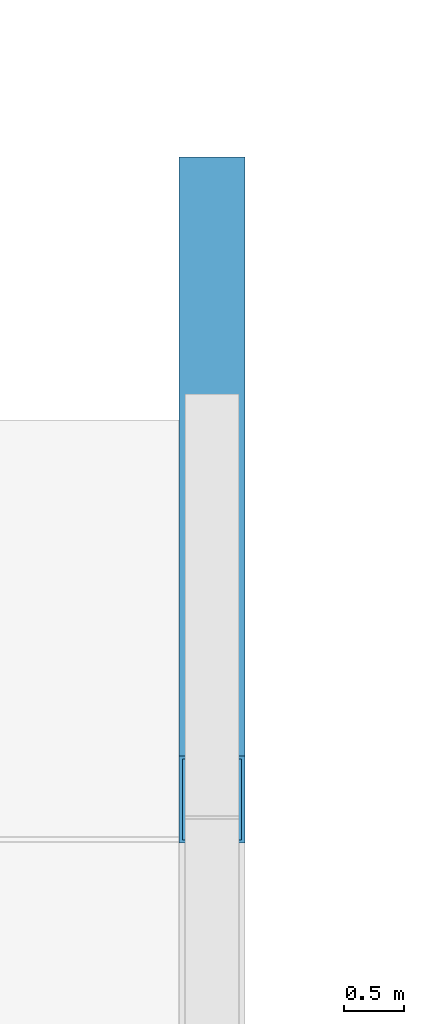
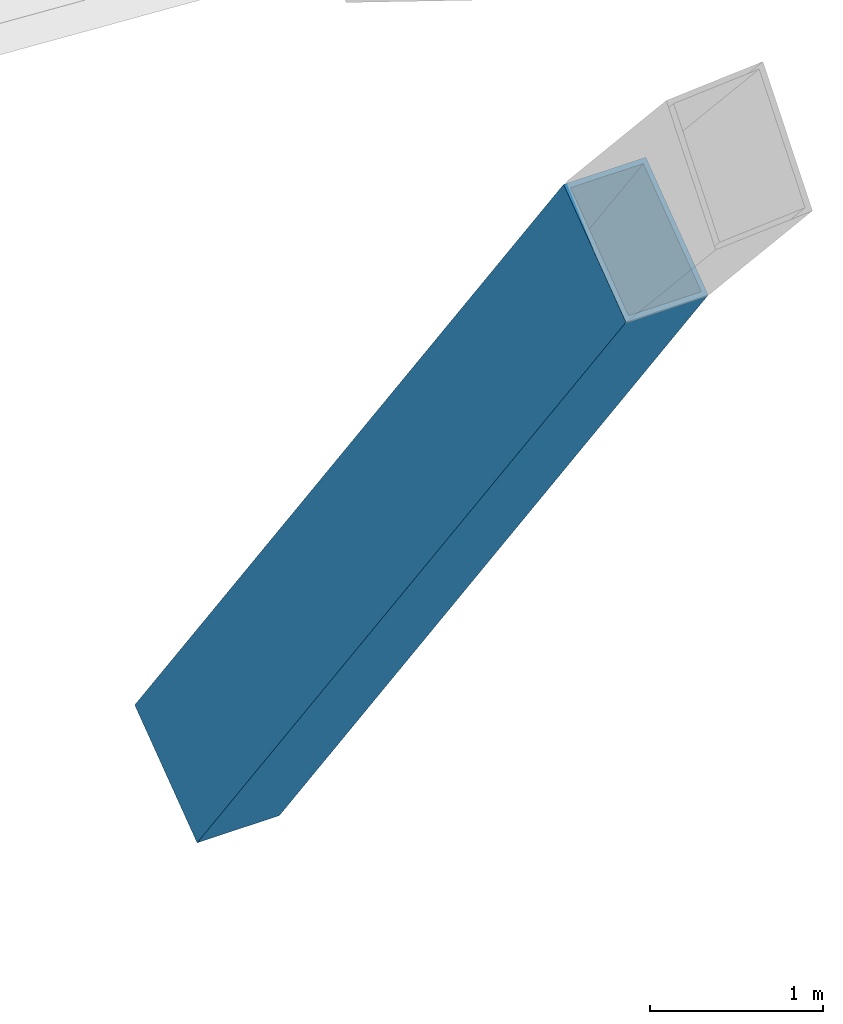
# One storey, part 30 of 64: 1 member.
"""IFC4 building model written with IfcOpenShell, lengths in metres."""

from ifc_helpers import new_model, si_unit, direction, frame, origin, origin_2d, place, context, subcontext, project, spatial, hollow_rectangle, extrude, material, material_profile, profile_set, type_object, element, save


model = new_model("IFC4")

# Units and contexts
model_context = context("Model", 3, precision=1e-05, world=origin(), true_north=direction((0.0, 1.0)))
body_context = subcontext(model_context, "Body", "Model", "MODEL_VIEW")
ifc_project = project(units=[si_unit("LENGTHUNIT", "METRE"), si_unit("AREAUNIT", "SQUARE_METRE"), si_unit("VOLUMEUNIT", "CUBIC_METRE"), si_unit("PLANEANGLEUNIT", "RADIAN"), si_unit("MASSUNIT", "GRAM", prefix="KILO")], contexts=[model_context])

# Site, building, storey
site_placement = place(None, origin())
site = spatial("IfcSite", under=ifc_project, at=site_placement, CompositionType="ELEMENT")
building_placement = place(site_placement, origin())
building = spatial("IfcBuilding", under=site, at=building_placement, Name="Leyfeld Transit Interchange", CompositionType="ELEMENT")
storey_placement = place(building_placement, frame((0.0, 0.0, 9.60009765625)))
storey = spatial("IfcBuildingStorey", under=building, at=storey_placement, Name="L02", CompositionType="ELEMENT", Elevation=9.60009765625)

# Member
ifc_material = material(Name="Steel S355J2 - Ochre Arch", Category="steel")
ifc_material_profile = material_profile(ifc_material, hollow_rectangle(XDim=0.550048828125, YDim=0.89990234375, WallThickness=0.031982421875, at=origin_2d()), Name="RHS 900x550x32")
ifc_profile_set = profile_set([ifc_material_profile], Name="Steel S355J2 - Ochre Arch")
member_type = type_object("IfcMemberType", Name="MEM-ARCH-900", PredefinedType="USERDEFINED", material=ifc_profile_set)
member_placement = place(storey_placement, frame((100.800048828125, 57.2333984375, -1.408447265625), z_axis=(0.0, 0.595984669324, -0.802995811901), x_axis=(-1.0, 0.0, 0.0)))
element("IfcMember", 1, at=member_placement, inside=storey, type_object=member_type, Name="Primary Steel Arch GP-E Seg 12", ObjectType="ARCH_SEGMENT", PredefinedType="USERDEFINED", context=body_context, shape_type="SweptSolid", body=[
    extrude(hollow_rectangle(XDim=0.550048828125, YDim=0.89990234375, WallThickness=0.031982421875, at=origin_2d()), origin(), (0.0, 0.0, 1.0), 8.333251953125),
])

save(model, "model.ifc")
